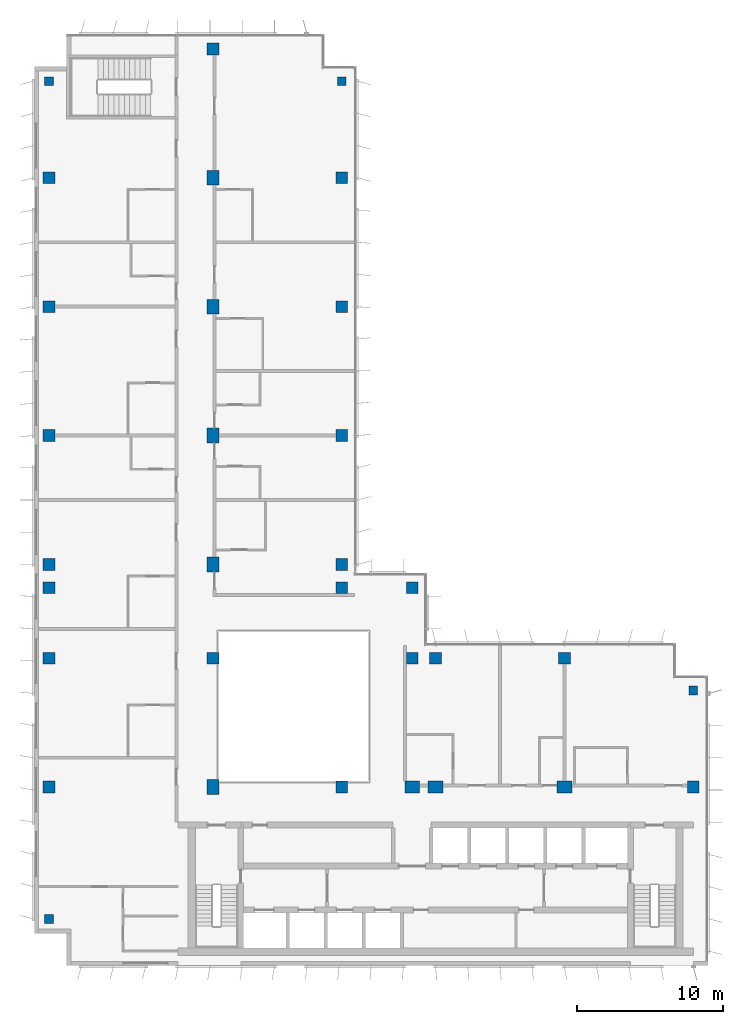
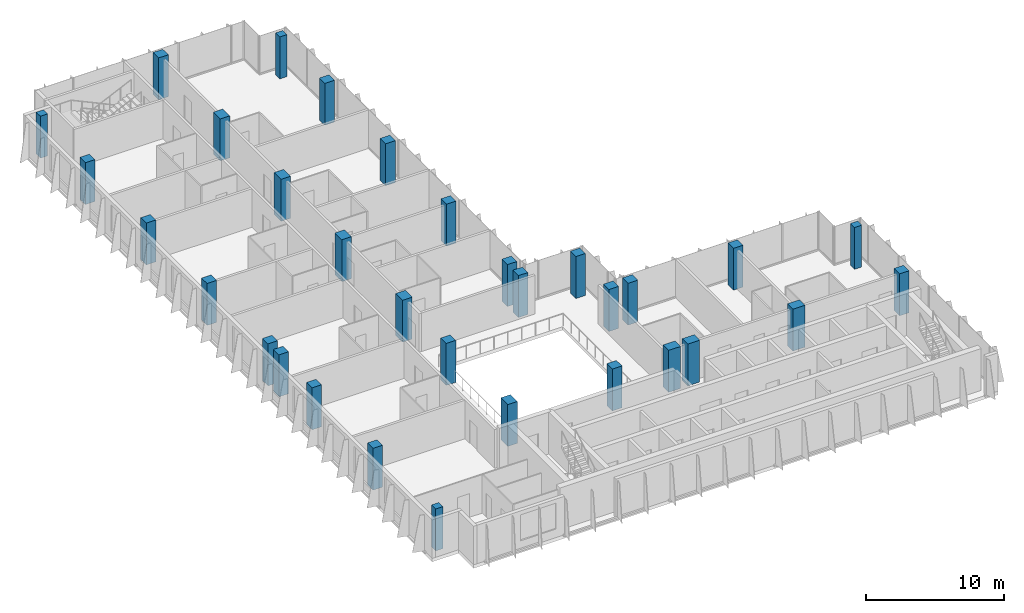
# One storey, part 1 of 15: 32 columns.
"""IFC4 building model written with IfcOpenShell, lengths in metres."""

from ifc_helpers import new_model, si_unit, direction, frame, origin, origin_2d, place, context, subcontext, project, spatial, rectangle, extrude, material, material_profile, profile_set, type_object, element, save


model = new_model("IFC4")

# Units and contexts
model_context = context("Model", 3, precision=1e-05, world=origin(), true_north=direction((0.0, 1.0)))
body_context = subcontext(model_context, "Body", "Model", "MODEL_VIEW")
ifc_project = project(units=[si_unit("LENGTHUNIT", "METRE"), si_unit("AREAUNIT", "SQUARE_METRE"), si_unit("VOLUMEUNIT", "CUBIC_METRE"), si_unit("PLANEANGLEUNIT", "RADIAN"), si_unit("MASSUNIT", "GRAM", prefix="KILO")], contexts=[model_context])

# Site, building, storey
site_placement = place(None, origin())
site = spatial("IfcSite", under=ifc_project, at=site_placement, CompositionType="ELEMENT")
building_placement = place(site_placement, origin())
building = spatial("IfcBuilding", under=site, at=building_placement, Name="Kemantara Hotel Tower", CompositionType="ELEMENT")
storey_placement = place(building_placement, frame((0.0, 0.0, 268.5)))
storey = spatial("IfcBuildingStorey", under=building, at=storey_placement, Name="L67", CompositionType="ELEMENT", Elevation=268.5)

# Columns
ifc_material = material(Name="Concrete fc 50 MPa", Category="concrete")
ifc_material_profile_1 = material_profile(ifc_material, rectangle(XDim=1.0, YDim=0.800048828125, at=origin_2d()), Name="RC 1000X800")
ifc_profile_set_1 = profile_set([ifc_material_profile_1], Name="Concrete fc 50 MPa")
column_type_1 = type_object("IfcColumnType", Name="RC COLUMN 1000X800 FC50", PredefinedType="COLUMN", material=ifc_profile_set_1)
for number, where, z_axis, x_axis, name in (
    (1, (12.199951171875, 12.199951171875, 0.0), (0.0, 0.0, 1.0), (0.0, 1.0, 0.0), "COLUMN 2A/BA L67"),
    (2, (12.199951171875, 27.39990234375, 0.0), (0.0, 0.0, 1.0), (0.0, 1.0, 0.0), "COLUMN 2A/D L67"),
    (3, (12.199951171875, 36.199951171875, 0.0), (0.0, 0.0, 1.0), (0.0, 1.0, 0.0), "COLUMN 2A/E L67"),
    (4, (12.199951171875, 45.0, 0.0), (0.0, 0.0, 1.0), (0.0, 1.0, 0.0), "COLUMN 2A/F L67"),
    (5, (12.199951171875, 53.800048828125, 0.0), (0.0, 0.0, 1.0), (0.0, 1.0, 0.0), "COLUMN 2A/G L67"),
    (6, (25.800048828125, 12.199951171875, 0.0), (0.0, 0.0, 1.0), (1.0, 0.0, 0.0), "COLUMN 3A/BA L67"),
    (7, (27.39990234375, 12.199951171875, 0.0), (0.0, 0.0, 1.0), (1.0, 0.0, 0.0), "COLUMN 4/BA L67"),
    (8, (36.199951171875, 12.199951171875, 0.0), (0.0, 0.0, 1.0), (1.0, 0.0, 0.0), "COLUMN 5/BA L67"),
):
    element("IfcColumn", number, at=place(storey_placement, frame(where, z_axis=z_axis, x_axis=x_axis)), inside=storey, type_object=column_type_1, Name=name, PredefinedType="COLUMN", context=body_context, shape_type="SweptSolid", body=[
        extrude(rectangle(XDim=1.0, YDim=0.800048828125, at=origin_2d()), origin(), (0.0, 0.0, 1.0), 3.699951171875),
    ])
ifc_material_profile_2 = material_profile(ifc_material, rectangle(XDim=0.60009765625, YDim=0.60009765625, at=origin_2d()), Name="RC 600X600")
ifc_profile_set_2 = profile_set([ifc_material_profile_2], Name="Concrete fc 50 MPa")
column_type_2 = type_object("IfcColumnType", Name="RC COLUMN 600X600 FC50", PredefinedType="COLUMN", material=ifc_profile_set_2)
for number, where, z_axis, x_axis, name in (
    (9, (1.0, 3.199951171875, 0.0), (0.0, 0.0, 1.0), (1.0, 0.0, 0.0), "COLUMN notch corner L67"),
    (10, (1.0, 60.39990234375, 0.0), (0.0, 0.0, 1.0), (1.0, 0.0, 0.0), "COLUMN notch corner L67"),
    (11, (21.0, 60.39990234375, 0.0), (0.0, 0.0, 1.0), (1.0, 0.0, 0.0), "COLUMN notch corner L67"),
    (12, (45.0, 18.800048828125, 0.0), (0.0, 0.0, 1.0), (1.0, 0.0, 0.0), "COLUMN notch corner L67"),
):
    element("IfcColumn", number, at=place(storey_placement, frame(where, z_axis=z_axis, x_axis=x_axis)), inside=storey, type_object=column_type_2, Name=name, PredefinedType="COLUMN", context=body_context, shape_type="SweptSolid", body=[
        extrude(rectangle(XDim=0.60009765625, YDim=0.60009765625, at=origin_2d()), origin(), (0.0, 0.0, 1.0), 3.699951171875),
    ])
ifc_material_profile_3 = material_profile(ifc_material, rectangle(XDim=0.800048828125, YDim=0.800048828125, at=origin_2d()), Name="RC 800X800")
ifc_profile_set_3 = profile_set([ifc_material_profile_3], Name="Concrete fc 50 MPa")
column_type_3 = type_object("IfcColumnType", Name="RC COLUMN 800X800 FC50", PredefinedType="COLUMN", material=ifc_profile_set_3)
for number, where, z_axis, x_axis, name in (
    (13, (1.0, 12.199951171875, 0.0), (0.0, 0.0, 1.0), (1.0, 0.0, 0.0), "COLUMN 1/BA L67"),
    (14, (1.0, 21.0, 0.0), (0.0, 0.0, 1.0), (1.0, 0.0, 0.0), "COLUMN 1/C L67"),
    (15, (1.0, 25.800048828125, 0.0), (0.0, 0.0, 1.0), (1.0, 0.0, 0.0), "COLUMN 1/CA L67"),
    (16, (1.0, 27.39990234375, 0.0), (0.0, 0.0, 1.0), (1.0, 0.0, 0.0), "COLUMN 1/D L67"),
    (17, (1.0, 36.199951171875, 0.0), (0.0, 0.0, 1.0), (1.0, 0.0, 0.0), "COLUMN 1/E L67"),
    (18, (1.0, 45.0, 0.0), (0.0, 0.0, 1.0), (1.0, 0.0, 0.0), "COLUMN 1/F L67"),
    (19, (1.0, 53.800048828125, 0.0), (0.0, 0.0, 1.0), (1.0, 0.0, 0.0), "COLUMN 1/G L67"),
    (20, (12.199951171875, 21.0, 0.0), (0.0, 0.0, 1.0), (1.0, 0.0, 0.0), "COLUMN 2A/C L67"),
    (21, (12.199951171875, 62.60009765625, 0.0), (0.0, 0.0, 1.0), (1.0, 0.0, 0.0), "COLUMN 2A/H L67"),
    (22, (21.0, 12.199951171875, 0.0), (0.0, 0.0, 1.0), (1.0, 0.0, 0.0), "COLUMN 3/BA L67"),
    (23, (21.0, 25.800048828125, 0.0), (0.0, 0.0, 1.0), (1.0, 0.0, 0.0), "COLUMN 3/CA L67"),
    (24, (21.0, 27.39990234375, 0.0), (0.0, 0.0, 1.0), (1.0, 0.0, 0.0), "COLUMN 3/D L67"),
    (25, (21.0, 36.199951171875, 0.0), (0.0, 0.0, 1.0), (1.0, 0.0, 0.0), "COLUMN 3/E L67"),
    (26, (21.0, 45.0, 0.0), (0.0, 0.0, 1.0), (1.0, 0.0, 0.0), "COLUMN 3/F L67"),
    (27, (21.0, 53.800048828125, 0.0), (0.0, 0.0, 1.0), (1.0, 0.0, 0.0), "COLUMN 3/G L67"),
    (28, (25.800048828125, 21.0, 0.0), (0.0, 0.0, 1.0), (1.0, 0.0, 0.0), "COLUMN 3A/C L67"),
    (29, (25.800048828125, 25.800048828125, 0.0), (0.0, 0.0, 1.0), (1.0, 0.0, 0.0), "COLUMN 3A/CA L67"),
    (30, (27.39990234375, 21.0, 0.0), (0.0, 0.0, 1.0), (1.0, 0.0, 0.0), "COLUMN 4/C L67"),
    (31, (36.199951171875, 21.0, 0.0), (0.0, 0.0, 1.0), (1.0, 0.0, 0.0), "COLUMN 5/C L67"),
    (32, (45.0, 12.199951171875, 0.0), (0.0, 0.0, 1.0), (1.0, 0.0, 0.0), "COLUMN 6/BA L67"),
):
    element("IfcColumn", number, at=place(storey_placement, frame(where, z_axis=z_axis, x_axis=x_axis)), inside=storey, type_object=column_type_3, Name=name, PredefinedType="COLUMN", context=body_context, shape_type="SweptSolid", body=[
        extrude(rectangle(XDim=0.800048828125, YDim=0.800048828125, at=origin_2d()), origin(), (0.0, 0.0, 1.0), 3.699951171875),
    ])

save(model, "model.ifc")
